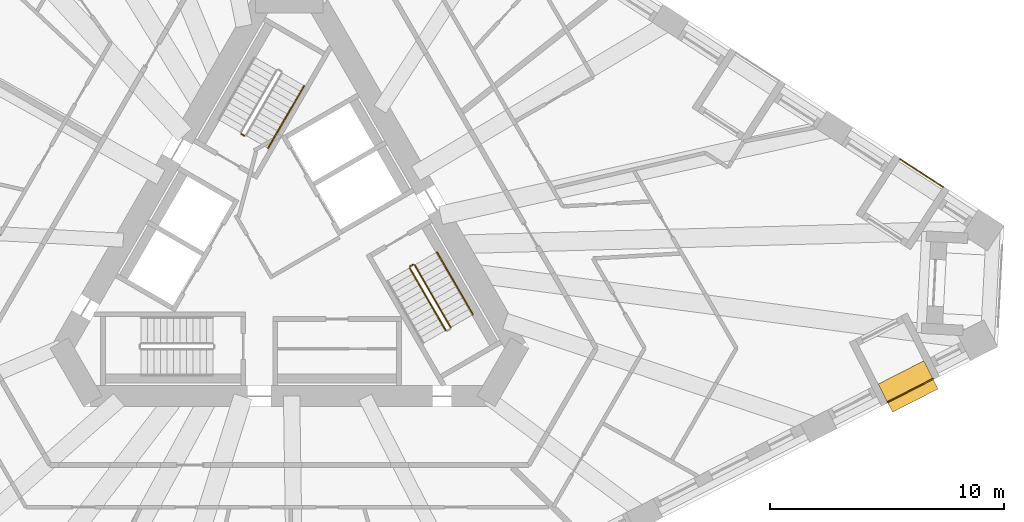
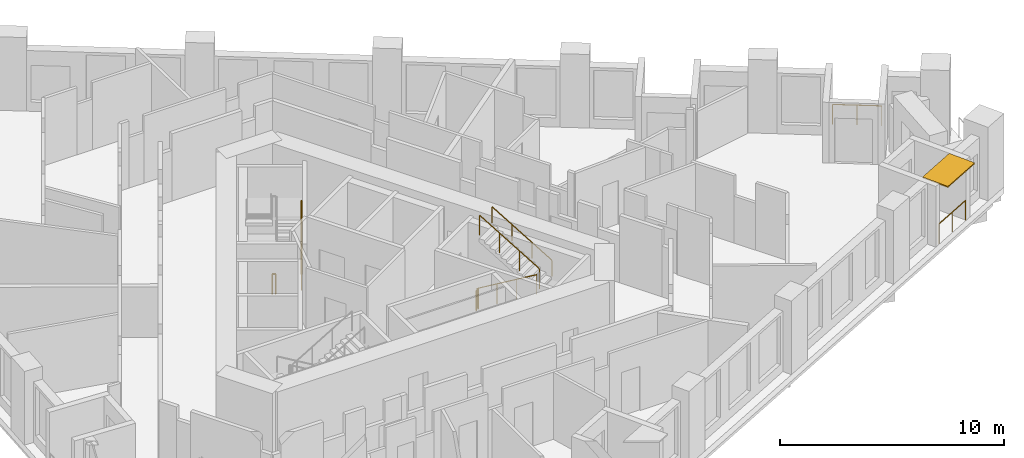
# One storey, part 11 of 13: 8 railings, 1 shading device.
"""IFC4 building model written with IfcOpenShell, lengths in metres."""

from ifc_helpers import new_model, si_unit, direction, frame, origin, origin_2d, place, context, subcontext, project, spatial, rectangle, circle, extrude, material, layer, layer_set, type_object, element, save


model = new_model("IFC4")

# Units and contexts
model_context = context("Model", 3, precision=1e-05, world=origin(), true_north=direction((0.0, 1.0)))
body_context = subcontext(model_context, "Body", "Model", "MODEL_VIEW")
ifc_project = project(units=[si_unit("LENGTHUNIT", "METRE"), si_unit("AREAUNIT", "SQUARE_METRE"), si_unit("VOLUMEUNIT", "CUBIC_METRE"), si_unit("PLANEANGLEUNIT", "RADIAN"), si_unit("MASSUNIT", "GRAM", prefix="KILO")], contexts=[model_context])

# Site, building, storey
site_placement = place(None, origin())
site = spatial("IfcSite", under=ifc_project, at=site_placement, CompositionType="ELEMENT")
building_placement = place(site_placement, origin())
building = spatial("IfcBuilding", under=site, at=building_placement, Name="Tramontana Tower", CompositionType="ELEMENT")
storey_placement = place(building_placement, frame((0.0, 0.0, 149.60009765625)))
storey = spatial("IfcBuildingStorey", under=building, at=storey_placement, Name="L34", CompositionType="ELEMENT", Elevation=149.60009765625)

# Railings
ifc_material_1 = material(Name="Laminated glass balustrade", Category="glass")
railing_type_1 = type_object("IfcRailingType", Name="GD1 Loggia glass balustrade 1100", PredefinedType="BALUSTRADE", material=ifc_material_1)
railing_1_placement = place(storey_placement, frame((25.603271484375, -6.5615234375, 0.0)))
element("IfcRailing", 1, at=railing_1_placement, inside=storey, type_object=railing_type_1, Name="Loggia balustrade L34 G3S1.16", PredefinedType="BALUSTRADE", context=body_context, shape_type="SweptSolid", body=[
    extrude(circle(Radius=0.02392578125, at=origin_2d()), frame((0.0, 0.0, 1.076171875), z_axis=(0.891013126725, 0.4539775413, 0.0), x_axis=(-0.4539775413, 0.891013126725, 0.0)), (0.0, 0.0, 1.0), 2.1904296875),
    extrude(circle(Radius=0.02099609375, at=origin_2d()), origin(), (0.0, 0.0, 1.0), 1.052001953125),
    extrude(circle(Radius=0.02099609375, at=origin_2d()), frame((0.975830078125, 0.4970703125, 0.0)), (0.0, 0.0, 1.0), 1.052001953125),
    extrude(circle(Radius=0.02099609375, at=origin_2d()), frame((1.95166015625, 0.994384765625, 0.0)), (0.0, 0.0, 1.0), 1.052001953125),
])
railing_2_placement = place(storey_placement, frame((27.98583984375, 2.65625, 0.0)))
element("IfcRailing", 2, at=railing_2_placement, inside=storey, type_object=railing_type_1, Name="Loggia balustrade L34 G3S2.1", PredefinedType="BALUSTRADE", context=body_context, shape_type="SweptSolid", body=[
    extrude(circle(Radius=0.02392578125, at=origin_2d()), frame((0.0, 0.0, 1.076171875), z_axis=(-0.838659986147, 0.544655329209, 0.0), x_axis=(-0.544655329209, -0.838659986147, 0.0)), (0.0, 0.0, 1.0), 2.190673828125),
    extrude(circle(Radius=0.02099609375, at=origin_2d()), origin(), (0.0, 0.0, 1.0), 1.052001953125),
    extrude(circle(Radius=0.02099609375, at=origin_2d()), frame((-0.91845703125, 0.5966796875, 0.0)), (0.0, 0.0, 1.0), 1.052001953125),
    extrude(circle(Radius=0.02099609375, at=origin_2d()), frame((-1.837158203125, 1.193115234375, 0.0)), (0.0, 0.0, 1.0), 1.052001953125),
])

# Shading device
ifc_material_2 = material(Name="Precast concrete 60 MPa", Category="concrete")
ifc_layer = layer(ifc_material_2, 0.06005859375)
ifc_layer_set = layer_set([ifc_layer], Name="SS1 Stone sunshade blade 60")
shading_device_type = type_object("IfcShadingDeviceType", Name="SS1 Stone sunshade blade 60", PredefinedType="USERDEFINED", material=ifc_layer_set)
shading_device_placement = place(storey_placement, frame((26.490478515625, -5.890625, 3.239990234375), z_axis=(0.0, 0.0, 1.0), x_axis=(0.891006524188, 0.45399049974, 0.0)))
element("IfcShadingDevice", 3, at=shading_device_placement, inside=storey, type_object=shading_device_type, Name="Sunshade L34 G3S1.16", ObjectType="SUNSHADE", PredefinedType="USERDEFINED", context=body_context, shape_type="SweptSolid", body=[
    extrude(rectangle(XDim=2.1904296875, YDim=1.35009765625, at=origin_2d()), origin(), (0.0, 0.0, 1.0), 0.06005859375),
])

# Railings
ifc_material_3 = material(Name="Painted steel", Category="steel")
railing_type_2 = type_object("IfcRailingType", Name="STAIR GUARD 1100", PredefinedType="GUARDRAIL", material=ifc_material_3)
railing_3_placement = place(storey_placement, frame((-1.935791015625, 4.84716796875, 0.0)))
element("IfcRailing", 4, at=railing_3_placement, inside=storey, type_object=railing_type_2, Name="L34 ST1 stair guard 4", PredefinedType="GUARDRAIL", context=body_context, shape_type="SweptSolid", body=[
    extrude(circle(Radius=0.02392578125, at=origin_2d()), frame((0.0, 0.0, 1.076171875), z_axis=(-0.865426285481, 0.501036270542, 0.0), x_axis=(-0.501036270542, -0.865426285481, 0.0)), (0.0, 0.0, 1.0), 0.150146484375),
    extrude(circle(Radius=0.02099609375, at=origin_2d()), origin(), (0.0, 0.0, 1.0), 1.052001953125),
    extrude(circle(Radius=0.02099609375, at=origin_2d()), frame((-0.1298828125, 0.0751953125, 0.0)), (0.0, 0.0, 1.0), 1.052001953125),
])
railing_4_placement = place(storey_placement, frame((5.1474609375, -0.815673828125, 0.16650390625)))
element("IfcRailing", 5, at=railing_4_placement, inside=storey, type_object=railing_type_2, Name="L34 ST3 stair guard 1", PredefinedType="GUARDRAIL", context=body_context, shape_type="SweptSolid", body=[
    extrude(circle(Radius=0.02392578125, at=origin_2d()), frame((0.0, 0.0, 1.076171875), z_axis=(0.429656224001, -0.744133520484, 0.511527939481), x_axis=(0.866010015463, 0.500026652407, 0.0)), (0.0, 0.0, 1.0), 3.58447265625),
    extrude(circle(Radius=0.02099609375, at=origin_2d()), origin(), (0.0, 0.0, 1.0), 1.052001953125),
    extrude(circle(Radius=0.02099609375, at=origin_2d()), frame((0.513427734375, -0.88916015625, 0.611083984375)), (0.0, 0.0, 1.0), 1.052001953125),
    extrude(circle(Radius=0.02099609375, at=origin_2d()), frame((1.026611328125, -1.778076171875, 1.222412109375)), (0.0, 0.0, 1.0), 1.052001953125),
    extrude(circle(Radius=0.02099609375, at=origin_2d()), frame((1.5400390625, -2.667236328125, 1.83349609375)), (0.0, 0.0, 1.0), 1.052001953125),
])
railing_5_placement = place(storey_placement, frame((6.90380859375, -3.35791015625, 2.16650390625)))
element("IfcRailing", 6, at=railing_5_placement, inside=storey, type_object=railing_type_2, Name="L34 ST3 stair guard 2", PredefinedType="GUARDRAIL", context=body_context, shape_type="SweptSolid", body=[
    extrude(circle(Radius=0.02392578125, at=origin_2d()), frame((0.0, 0.0, 1.076171875), z_axis=(-0.429600682602, 0.744155296881, 0.511542908886), x_axis=(-0.866044340336, -0.499967199496, 0.0)), (0.0, 0.0, 1.0), 3.584228515625),
    extrude(circle(Radius=0.02099609375, at=origin_2d()), origin(), (0.0, 0.0, 1.0), 1.052001953125),
    extrude(circle(Radius=0.02099609375, at=origin_2d()), frame((-0.51318359375, 0.88916015625, 0.611083984375)), (0.0, 0.0, 1.0), 1.052001953125),
    extrude(circle(Radius=0.02099609375, at=origin_2d()), frame((-1.026611328125, 1.778076171875, 1.222412109375)), (0.0, 0.0, 1.0), 1.052001953125),
    extrude(circle(Radius=0.02099609375, at=origin_2d()), frame((-1.539794921875, 2.667236328125, 1.83349609375)), (0.0, 0.0, 1.0), 1.052001953125),
])
railing_6_placement = place(storey_placement, frame((5.165771484375, -0.747314453125, 0.0)))
element("IfcRailing", 7, at=railing_6_placement, inside=storey, type_object=railing_type_2, Name="L34 ST3 stair guard 4", PredefinedType="GUARDRAIL", context=body_context, shape_type="SweptSolid", body=[
    extrude(circle(Radius=0.02392578125, at=origin_2d()), frame((0.0, 0.0, 1.076171875), z_axis=(0.866131372301, 0.499816412211, 0.0), x_axis=(-0.499816412211, 0.866131372301, 0.0)), (0.0, 0.0, 1.0), 0.14990234375),
    extrude(circle(Radius=0.02099609375, at=origin_2d()), origin(), (0.0, 0.0, 1.0), 1.052001953125),
    extrude(circle(Radius=0.02099609375, at=origin_2d()), frame((0.1298828125, 0.074951171875, 0.0)), (0.0, 0.0, 1.0), 1.052001953125),
])
ifc_material_4 = material(Name="Painted steel", Category="steel")
railing_type_3 = type_object("IfcRailingType", Name="STAIR HANDRAIL 900", PredefinedType="HANDRAIL", material=ifc_material_4)
railing_7_placement = place(storey_placement, frame((-0.914794921875, 4.315673828125, 0.16650390625)))
element("IfcRailing", 8, at=railing_7_placement, inside=storey, type_object=railing_type_3, Name="L34 ST1 stair handrail 1", PredefinedType="HANDRAIL", context=body_context, shape_type="SweptSolid", body=[
    extrude(circle(Radius=0.02392578125, at=origin_2d()), frame((0.0, 0.0, 0.8759765625), z_axis=(0.429656224001, 0.744133520484, 0.511527939481), x_axis=(-0.866010015463, 0.500026652407, 0.0)), (0.0, 0.0, 1.0), 3.58447265625),
    extrude(circle(Radius=0.02099609375, at=origin_2d()), origin(), (0.0, 0.0, 1.0), 0.851806640625),
    extrude(circle(Radius=0.02099609375, at=origin_2d()), frame((0.513427734375, 0.88916015625, 0.611083984375)), (0.0, 0.0, 1.0), 0.851806640625),
    extrude(circle(Radius=0.02099609375, at=origin_2d()), frame((1.026611328125, 1.778076171875, 1.222412109375)), (0.0, 0.0, 1.0), 0.851806640625),
    extrude(circle(Radius=0.02099609375, at=origin_2d()), frame((1.5400390625, 2.667236328125, 1.83349609375)), (0.0, 0.0, 1.0), 0.851806640625),
])
railing_8_placement = place(storey_placement, frame((7.8564453125, -2.807861328125, 2.16650390625)))
element("IfcRailing", 9, at=railing_8_placement, inside=storey, type_object=railing_type_3, Name="L34 ST3 stair handrail 2", PredefinedType="HANDRAIL", context=body_context, shape_type="SweptSolid", body=[
    extrude(circle(Radius=0.02392578125, at=origin_2d()), frame((0.0, 0.0, 0.8759765625), z_axis=(-0.429600682602, 0.744155296881, 0.511542908886), x_axis=(-0.866044340336, -0.499967199496, 0.0)), (0.0, 0.0, 1.0), 3.584228515625),
    extrude(circle(Radius=0.02099609375, at=origin_2d()), origin(), (0.0, 0.0, 1.0), 0.851806640625),
    extrude(circle(Radius=0.02099609375, at=origin_2d()), frame((-0.51318359375, 0.88916015625, 0.611083984375)), (0.0, 0.0, 1.0), 0.851806640625),
    extrude(circle(Radius=0.02099609375, at=origin_2d()), frame((-1.026611328125, 1.778076171875, 1.222412109375)), (0.0, 0.0, 1.0), 0.851806640625),
    extrude(circle(Radius=0.02099609375, at=origin_2d()), frame((-1.539794921875, 2.667236328125, 1.83349609375)), (0.0, 0.0, 1.0), 0.851806640625),
])

save(model, "model.ifc")
